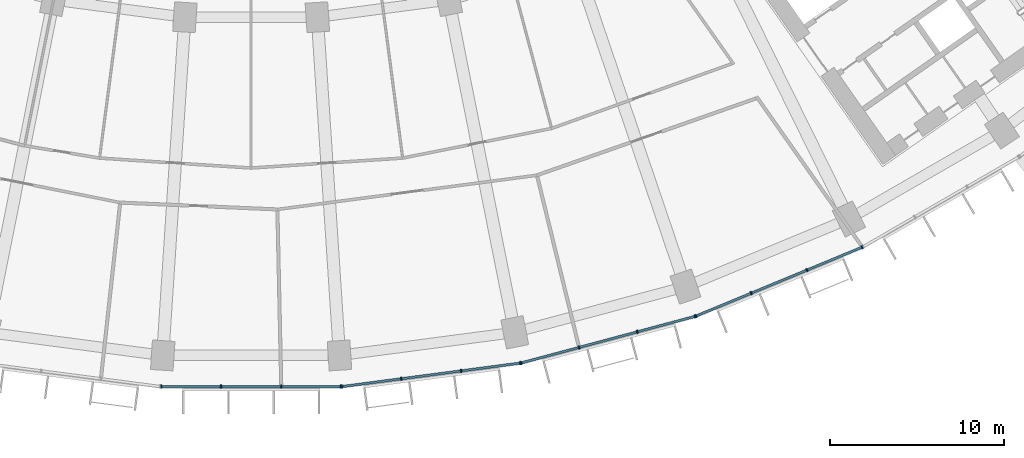
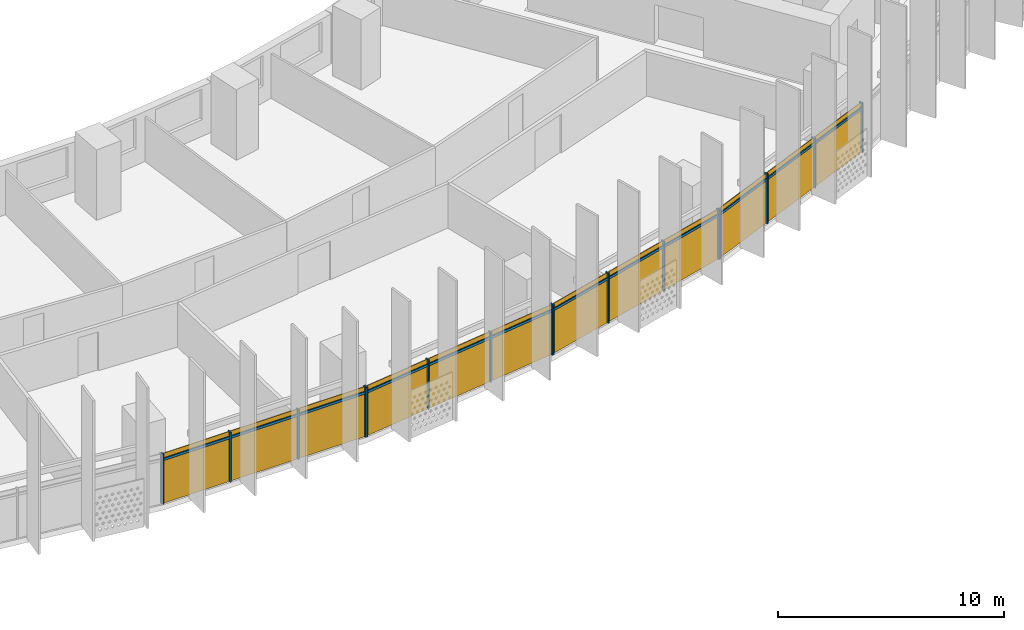
# One storey, part 21 of 31: 28 members, 4 curtain walls.
"""IFC4 building model written with IfcOpenShell, lengths in metres."""

from ifc_helpers import new_model, si_unit, direction, frame, origin, origin_2d, place, context, subcontext, project, spatial, rectangle, extrude, material, material_profile, profile_set, type_object, element, aggregate, save


model = new_model("IFC4")

# Units and contexts
model_context = context("Model", 3, precision=1e-05, world=origin(), true_north=direction((0.0, 1.0)))
body_context = subcontext(model_context, "Body", "Model", "MODEL_VIEW")
ifc_project = project(units=[si_unit("LENGTHUNIT", "METRE"), si_unit("AREAUNIT", "SQUARE_METRE"), si_unit("VOLUMEUNIT", "CUBIC_METRE"), si_unit("PLANEANGLEUNIT", "RADIAN"), si_unit("MASSUNIT", "GRAM", prefix="KILO")], contexts=[model_context])

# Member
ifc_material = material(Name="Aluminium 6063-T6 anodised", Category="aluminium")
ifc_material_profile_1 = material_profile(ifc_material, rectangle(XDim=0.199951171875, YDim=0.070068359375, at=origin_2d()))
ifc_profile_set_1 = profile_set([ifc_material_profile_1], Name="Aluminium 6063-T6 anodised")
member_type_1 = type_object("IfcMemberType", Name="Mullion 70 x 200 aluminium", PredefinedType="MULLION", material=ifc_profile_set_1)
site_placement = place(None, origin())
building_placement = place(site_placement, origin())
storey_placement = place(building_placement, frame((0.0, 0.0, 55.699951171875)))
member_1_placement = place(storey_placement, frame((-5.17431640625, -79.37939453125, 0.0), z_axis=(0.0, 0.0, 1.0), x_axis=(0.0, 1.0, 0.0)))
member_1 = element("IfcMember", 1, at=member_1_placement, type_object=member_type_1, Name="e-cw1-L10-out08/M00", PredefinedType="MULLION", context=body_context, shape_type="SweptSolid", body=[
    extrude(rectangle(XDim=0.199951171875, YDim=0.070068359375, at=origin_2d()), origin(), (0.0, 0.0, 1.0), 2.699951171875),
])

member_2_placement = place(storey_placement, frame((-1.736572265625, -79.37939453125, 0.0), z_axis=(0.0, 0.0, 1.0), x_axis=(0.0, 1.0, 0.0)))
member_2 = element("IfcMember", 2, at=member_2_placement, type_object=member_type_1, Name="e-cw1-L10-out08/M01", PredefinedType="MULLION", context=body_context, shape_type="SweptSolid", body=[
    extrude(rectangle(XDim=0.199951171875, YDim=0.070068359375, at=origin_2d()), origin(), (0.0, 0.0, 1.0), 2.699951171875),
])

member_3_placement = place(storey_placement, frame((1.736572265625, -79.37939453125, 0.0), z_axis=(0.0, 0.0, 1.0), x_axis=(0.0, 1.0, 0.0)))
member_3 = element("IfcMember", 3, at=member_3_placement, type_object=member_type_1, Name="e-cw1-L10-out08/M02", PredefinedType="MULLION", context=body_context, shape_type="SweptSolid", body=[
    extrude(rectangle(XDim=0.199951171875, YDim=0.070068359375, at=origin_2d()), origin(), (0.0, 0.0, 1.0), 2.699951171875),
])

member_4_placement = place(storey_placement, frame((5.17431640625, -79.37939453125, 0.0), z_axis=(0.0, 0.0, 1.0), x_axis=(0.0, 1.0, 0.0)))
member_4 = element("IfcMember", 4, at=member_4_placement, type_object=member_type_1, Name="e-cw1-L10-out08/M03", PredefinedType="MULLION", context=body_context, shape_type="SweptSolid", body=[
    extrude(rectangle(XDim=0.199951171875, YDim=0.070068359375, at=origin_2d()), origin(), (0.0, 0.0, 1.0), 2.699951171875),
])

member_5_placement = place(storey_placement, frame((5.23095703125, -79.375732421875, 0.0), z_axis=(0.0, 0.0, 1.0), x_axis=(-0.13052619222, 0.991444861374, 0.0)))
member_5 = element("IfcMember", 5, at=member_5_placement, type_object=member_type_1, Name="e-cw1-L10-out09/M00", PredefinedType="MULLION", context=body_context, shape_type="SweptSolid", body=[
    extrude(rectangle(XDim=0.199951171875, YDim=0.070068359375, at=origin_2d()), origin(), (0.0, 0.0, 1.0), 2.699951171875),
])

member_6_placement = place(storey_placement, frame((8.639404296875, -78.927001953125, 0.0), z_axis=(0.0, 0.0, 1.0), x_axis=(-0.13052619222, 0.991444861374, 0.0)))
member_6 = element("IfcMember", 6, at=member_6_placement, type_object=member_type_1, Name="e-cw1-L10-out09/M01", PredefinedType="MULLION", context=body_context, shape_type="SweptSolid", body=[
    extrude(rectangle(XDim=0.199951171875, YDim=0.070068359375, at=origin_2d()), origin(), (0.0, 0.0, 1.0), 2.699951171875),
])

member_7_placement = place(storey_placement, frame((12.082763671875, -78.4736328125, 0.0), z_axis=(0.0, 0.0, 1.0), x_axis=(-0.13052619222, 0.991444861374, 0.0)))
member_7 = element("IfcMember", 7, at=member_7_placement, type_object=member_type_1, Name="e-cw1-L10-out09/M02", PredefinedType="MULLION", context=body_context, shape_type="SweptSolid", body=[
    extrude(rectangle(XDim=0.199951171875, YDim=0.070068359375, at=origin_2d()), origin(), (0.0, 0.0, 1.0), 2.699951171875),
])

member_8_placement = place(storey_placement, frame((15.4912109375, -78.02490234375, 0.0), z_axis=(0.0, 0.0, 1.0), x_axis=(-0.13052619222, 0.991444861374, 0.0)))
member_8 = element("IfcMember", 8, at=member_8_placement, type_object=member_type_1, Name="e-cw1-L10-out09/M03", PredefinedType="MULLION", context=body_context, shape_type="SweptSolid", body=[
    extrude(rectangle(XDim=0.199951171875, YDim=0.070068359375, at=origin_2d()), origin(), (0.0, 0.0, 1.0), 2.699951171875),
])

member_9_placement = place(storey_placement, frame((15.546875, -78.013916015625, 0.0), z_axis=(0.0, 0.0, 1.0), x_axis=(-0.258819045103, 0.965925826289, 0.0)))
member_9 = element("IfcMember", 9, at=member_9_placement, type_object=member_type_1, Name="e-cw1-L10-out10/M00", PredefinedType="MULLION", context=body_context, shape_type="SweptSolid", body=[
    extrude(rectangle(XDim=0.199951171875, YDim=0.070068359375, at=origin_2d()), origin(), (0.0, 0.0, 1.0), 2.699951171875),
])

member_10_placement = place(storey_placement, frame((18.86767578125, -77.1240234375, 0.0), z_axis=(0.0, 0.0, 1.0), x_axis=(-0.258819045103, 0.965925826289, 0.0)))
member_10 = element("IfcMember", 10, at=member_10_placement, type_object=member_type_1, Name="e-cw1-L10-out10/M01", PredefinedType="MULLION", context=body_context, shape_type="SweptSolid", body=[
    extrude(rectangle(XDim=0.199951171875, YDim=0.070068359375, at=origin_2d()), origin(), (0.0, 0.0, 1.0), 2.699951171875),
])

member_11_placement = place(storey_placement, frame((22.22216796875, -76.225341796875, 0.0), z_axis=(0.0, 0.0, 1.0), x_axis=(-0.258819045103, 0.965925826289, 0.0)))
member_11 = element("IfcMember", 11, at=member_11_placement, type_object=member_type_1, Name="e-cw1-L10-out10/M02", PredefinedType="MULLION", context=body_context, shape_type="SweptSolid", body=[
    extrude(rectangle(XDim=0.199951171875, YDim=0.070068359375, at=origin_2d()), origin(), (0.0, 0.0, 1.0), 2.699951171875),
])

member_12_placement = place(storey_placement, frame((25.54296875, -75.33544921875, 0.0), z_axis=(0.0, 0.0, 1.0), x_axis=(-0.258819045103, 0.965925826289, 0.0)))
member_12 = element("IfcMember", 12, at=member_12_placement, type_object=member_type_1, Name="e-cw1-L10-out10/M03", PredefinedType="MULLION", context=body_context, shape_type="SweptSolid", body=[
    extrude(rectangle(XDim=0.199951171875, YDim=0.070068359375, at=origin_2d()), origin(), (0.0, 0.0, 1.0), 2.699951171875),
])

member_13_placement = place(storey_placement, frame((25.5966796875, -75.317138671875, 0.0), z_axis=(0.0, 0.0, 1.0), x_axis=(-0.382683432365, 0.923879532511, 0.0)))
member_13 = element("IfcMember", 13, at=member_13_placement, type_object=member_type_1, Name="e-cw1-L10-out11/M00", PredefinedType="MULLION", context=body_context, shape_type="SweptSolid", body=[
    extrude(rectangle(XDim=0.199951171875, YDim=0.070068359375, at=origin_2d()), origin(), (0.0, 0.0, 1.0), 2.699951171875),
])

member_14_placement = place(storey_placement, frame((28.77294921875, -74.00146484375, 0.0), z_axis=(0.0, 0.0, 1.0), x_axis=(-0.382683432365, 0.923879532511, 0.0)))
member_14 = element("IfcMember", 14, at=member_14_placement, type_object=member_type_1, Name="e-cw1-L10-out11/M01", PredefinedType="MULLION", context=body_context, shape_type="SweptSolid", body=[
    extrude(rectangle(XDim=0.199951171875, YDim=0.070068359375, at=origin_2d()), origin(), (0.0, 0.0, 1.0), 2.699951171875),
])

member_15_placement = place(storey_placement, frame((31.9814453125, -72.672607421875, 0.0), z_axis=(0.0, 0.0, 1.0), x_axis=(-0.382683432365, 0.923879532511, 0.0)))
member_15 = element("IfcMember", 15, at=member_15_placement, type_object=member_type_1, Name="e-cw1-L10-out11/M02", PredefinedType="MULLION", context=body_context, shape_type="SweptSolid", body=[
    extrude(rectangle(XDim=0.199951171875, YDim=0.070068359375, at=origin_2d()), origin(), (0.0, 0.0, 1.0), 2.699951171875),
])

member_16_placement = place(storey_placement, frame((35.15771484375, -71.35693359375, 0.0), z_axis=(0.0, 0.0, 1.0), x_axis=(-0.382683432365, 0.923879532511, 0.0)))
member_16 = element("IfcMember", 16, at=member_16_placement, type_object=member_type_1, Name="e-cw1-L10-out11/M03", PredefinedType="MULLION", context=body_context, shape_type="SweptSolid", body=[
    extrude(rectangle(XDim=0.199951171875, YDim=0.070068359375, at=origin_2d()), origin(), (0.0, 0.0, 1.0), 2.699951171875),
])

ifc_material_profile_2 = material_profile(ifc_material, rectangle(XDim=0.139892578125, YDim=0.1201171875, at=origin_2d()))
ifc_profile_set_2 = profile_set([ifc_material_profile_2], Name="Aluminium 6063-T6 anodised")
member_type_2 = type_object("IfcMemberType", Name="Transom 120 x 140 aluminium", PredefinedType="USERDEFINED", material=ifc_profile_set_2)
member_17_placement = place(storey_placement, frame((-5.139404296875, -79.37939453125, 2.400146484375), z_axis=(1.0, 0.0, 0.0), x_axis=(0.0, 1.0, 0.0)))
member_17 = element("IfcMember", 17, at=member_17_placement, type_object=member_type_2, Name="e-cw1-L10-out08/T00", ObjectType="TRANSOM", PredefinedType="USERDEFINED", context=body_context, shape_type="SweptSolid", body=[
    extrude(rectangle(XDim=0.139892578125, YDim=0.1201171875, at=origin_2d()), origin(), (0.0, 0.0, 1.0), 3.367919921875),
])

member_18_placement = place(storey_placement, frame((-1.701416015625, -79.37939453125, 2.400146484375), z_axis=(1.0, 0.0, 0.0), x_axis=(0.0, 1.0, 0.0)))
member_18 = element("IfcMember", 18, at=member_18_placement, type_object=member_type_2, Name="e-cw1-L10-out08/T01", ObjectType="TRANSOM", PredefinedType="USERDEFINED", context=body_context, shape_type="SweptSolid", body=[
    extrude(rectangle(XDim=0.139892578125, YDim=0.1201171875, at=origin_2d()), origin(), (0.0, 0.0, 1.0), 3.40283203125),
])

member_19_placement = place(storey_placement, frame((1.771484375, -79.37939453125, 2.400146484375), z_axis=(1.0, 0.0, 0.0), x_axis=(0.0, 1.0, 0.0)))
member_19 = element("IfcMember", 19, at=member_19_placement, type_object=member_type_2, Name="e-cw1-L10-out08/T02", ObjectType="TRANSOM", PredefinedType="USERDEFINED", context=body_context, shape_type="SweptSolid", body=[
    extrude(rectangle(XDim=0.139892578125, YDim=0.1201171875, at=origin_2d()), origin(), (0.0, 0.0, 1.0), 3.367919921875),
])

member_20_placement = place(storey_placement, frame((5.265625, -79.37109375, 2.400146484375), z_axis=(0.991450594138, 0.130482640159, 0.0), x_axis=(-0.130482640159, 0.991450594138, 0.0)))
member_20 = element("IfcMember", 20, at=member_20_placement, type_object=member_type_2, Name="e-cw1-L10-out09/T00", ObjectType="TRANSOM", PredefinedType="USERDEFINED", context=body_context, shape_type="SweptSolid", body=[
    extrude(rectangle(XDim=0.139892578125, YDim=0.1201171875, at=origin_2d()), origin(), (0.0, 0.0, 1.0), 3.367919921875),
])

member_21_placement = place(storey_placement, frame((8.67431640625, -78.92236328125, 2.400146484375), z_axis=(0.991447700941, 0.130504621753, 0.0), x_axis=(-0.130504621753, 0.991447700941, 0.0)))
member_21 = element("IfcMember", 21, at=member_21_placement, type_object=member_type_2, Name="e-cw1-L10-out09/T01", ObjectType="TRANSOM", PredefinedType="USERDEFINED", context=body_context, shape_type="SweptSolid", body=[
    extrude(rectangle(XDim=0.139892578125, YDim=0.1201171875, at=origin_2d()), origin(), (0.0, 0.0, 1.0), 3.40283203125),
])

member_22_placement = place(storey_placement, frame((12.117431640625, -78.46923828125, 2.400146484375), z_axis=(0.9914412138, 0.130553895303, 0.0), x_axis=(-0.130553895303, 0.9914412138, 0.0)))
member_22 = element("IfcMember", 22, at=member_22_placement, type_object=member_type_2, Name="e-cw1-L10-out09/T02", ObjectType="TRANSOM", PredefinedType="USERDEFINED", context=body_context, shape_type="SweptSolid", body=[
    extrude(rectangle(XDim=0.139892578125, YDim=0.1201171875, at=origin_2d()), origin(), (0.0, 0.0, 1.0), 3.367919921875),
])

member_23_placement = place(storey_placement, frame((15.58056640625, -78.0048828125, 2.400146484375), z_axis=(0.965915368772, 0.258858069935, 0.0), x_axis=(-0.258858069935, 0.965915368772, 0.0)))
member_23 = element("IfcMember", 23, at=member_23_placement, type_object=member_type_2, Name="e-cw1-L10-out10/T00", ObjectType="TRANSOM", PredefinedType="USERDEFINED", context=body_context, shape_type="SweptSolid", body=[
    extrude(rectangle(XDim=0.139892578125, YDim=0.1201171875, at=origin_2d()), origin(), (0.0, 0.0, 1.0), 3.367919921875),
])

member_24_placement = place(storey_placement, frame((18.9013671875, -77.114990234375, 2.400146484375), z_axis=(0.965937804901, 0.258774336176, 0.0), x_axis=(-0.258774336176, 0.965937804901, 0.0)))
member_24 = element("IfcMember", 24, at=member_24_placement, type_object=member_type_2, Name="e-cw1-L10-out10/T01", ObjectType="TRANSOM", PredefinedType="USERDEFINED", context=body_context, shape_type="SweptSolid", body=[
    extrude(rectangle(XDim=0.139892578125, YDim=0.1201171875, at=origin_2d()), origin(), (0.0, 0.0, 1.0), 3.403076171875),
])

member_25_placement = place(storey_placement, frame((22.256103515625, -76.21630859375, 2.400146484375), z_axis=(0.965915368772, 0.258858069935, 0.0), x_axis=(-0.258858069935, 0.965915368772, 0.0)))
member_25 = element("IfcMember", 25, at=member_25_placement, type_object=member_type_2, Name="e-cw1-L10-out10/T02", ObjectType="TRANSOM", PredefinedType="USERDEFINED", context=body_context, shape_type="SweptSolid", body=[
    extrude(rectangle(XDim=0.139892578125, YDim=0.1201171875, at=origin_2d()), origin(), (0.0, 0.0, 1.0), 3.367919921875),
])

member_26_placement = place(storey_placement, frame((25.629150390625, -75.3037109375, 2.400146484375), z_axis=(0.923872807855, 0.382699666719, 0.0), x_axis=(-0.382699666719, 0.923872807855, 0.0)))
member_26 = element("IfcMember", 26, at=member_26_placement, type_object=member_type_2, Name="e-cw1-L10-out11/T00", ObjectType="TRANSOM", PredefinedType="USERDEFINED", context=body_context, shape_type="SweptSolid", body=[
    extrude(rectangle(XDim=0.139892578125, YDim=0.1201171875, at=origin_2d()), origin(), (0.0, 0.0, 1.0), 3.36767578125),
])

member_27_placement = place(storey_placement, frame((28.80517578125, -73.98828125, 2.400146484375), z_axis=(0.92388567708, 0.382668597728, 0.0), x_axis=(-0.382668597728, 0.92388567708, 0.0)))
member_27 = element("IfcMember", 27, at=member_27_placement, type_object=member_type_2, Name="e-cw1-L10-out11/T01", ObjectType="TRANSOM", PredefinedType="USERDEFINED", context=body_context, shape_type="SweptSolid", body=[
    extrude(rectangle(XDim=0.139892578125, YDim=0.1201171875, at=origin_2d()), origin(), (0.0, 0.0, 1.0), 3.403076171875),
])

member_28_placement = place(storey_placement, frame((32.013916015625, -72.6591796875, 2.400146484375), z_axis=(0.923872807855, 0.382699666719, 0.0), x_axis=(-0.382699666719, 0.923872807855, 0.0)))
member_28 = element("IfcMember", 28, at=member_28_placement, type_object=member_type_2, Name="e-cw1-L10-out11/T02", ObjectType="TRANSOM", PredefinedType="USERDEFINED", context=body_context, shape_type="SweptSolid", body=[
    extrude(rectangle(XDim=0.139892578125, YDim=0.1201171875, at=origin_2d()), origin(), (0.0, 0.0, 1.0), 3.36767578125),
])

# Site, building, storey
site = spatial("IfcSite", under=ifc_project, at=site_placement, CompositionType="ELEMENT")
building = spatial("IfcBuilding", under=site, at=building_placement, Name="Qamariyya Broadcast Tower", CompositionType="ELEMENT")
storey = spatial("IfcBuildingStorey", under=building, at=storey_placement, Name="L10", CompositionType="ELEMENT", Elevation=55.699951171875)

# Curtain wall
curtain_wall_type = type_object("IfcCurtainWallType", Name="Unitised curtain wall, anodised aluminium", PredefinedType="NOTDEFINED", material=ifc_material)
curtain_wall_1_placement = place(storey_placement, origin())
curtain_wall_1 = element("IfcCurtainWall", 29, at=curtain_wall_1_placement, inside=storey, type_object=curtain_wall_type, Name="e-cw1-L10-out08", PredefinedType="NOTDEFINED", context=body_context, shape_type="SweptSolid", body=[
    extrude(rectangle(XDim=3.367919921875, YDim=0.031982421875, at=origin_2d()), frame((-3.45556640625, -79.37939453125, 0.0), x_axis=(1.0, 0.0, 0.0)), (0.0, 0.0, 1.0), 2.340087890625),
    extrude(rectangle(XDim=3.367919921875, YDim=0.031982421875, at=origin_2d()), frame((-3.45556640625, -79.37939453125, 2.4599609375), x_axis=(1.0, 0.0, 0.0)), (0.0, 0.0, 1.0), 0.239990234375),
    extrude(rectangle(XDim=3.403076171875, YDim=0.031982421875, at=origin_2d()), frame((0.0, -79.37939453125, 0.0), x_axis=(1.0, 0.0, 0.0)), (0.0, 0.0, 1.0), 2.340087890625),
    extrude(rectangle(XDim=3.403076171875, YDim=0.031982421875, at=origin_2d()), frame((0.0, -79.37939453125, 2.4599609375), x_axis=(1.0, 0.0, 0.0)), (0.0, 0.0, 1.0), 0.239990234375),
    extrude(rectangle(XDim=3.367919921875, YDim=0.031982421875, at=origin_2d()), frame((3.45556640625, -79.37939453125, 0.0), x_axis=(1.0, 0.0, 0.0)), (0.0, 0.0, 1.0), 2.340087890625),
    extrude(rectangle(XDim=3.367919921875, YDim=0.031982421875, at=origin_2d()), frame((3.45556640625, -79.37939453125, 2.4599609375), x_axis=(1.0, 0.0, 0.0)), (0.0, 0.0, 1.0), 0.239990234375),
])

aggregate(curtain_wall_1, [member_1, member_2, member_3, member_4, member_17, member_18, member_19])

curtain_wall_2_placement = place(storey_placement, origin())
curtain_wall_2 = element("IfcCurtainWall", 30, at=curtain_wall_2_placement, inside=storey, type_object=curtain_wall_type, Name="e-cw1-L10-out09", PredefinedType="NOTDEFINED", context=body_context, shape_type="SweptSolid", body=[
    extrude(rectangle(XDim=3.367919921875, YDim=0.031982421875, at=origin_2d()), frame((6.935302734375, -79.1513671875, 0.0), x_axis=(0.991445519925, 0.130521189931, 0.0)), (0.0, 0.0, 1.0), 2.340087890625),
    extrude(rectangle(XDim=3.367919921875, YDim=0.031982421875, at=origin_2d()), frame((6.935302734375, -79.1513671875, 2.4599609375), x_axis=(0.991445519925, 0.130521189931, 0.0)), (0.0, 0.0, 1.0), 0.239990234375),
    extrude(rectangle(XDim=3.40283203125, YDim=0.031982421875, at=origin_2d()), frame((10.361083984375, -78.700439453125, 0.0), x_axis=(0.991445519925, 0.130521189931, 0.0)), (0.0, 0.0, 1.0), 2.340087890625),
    extrude(rectangle(XDim=3.40283203125, YDim=0.031982421875, at=origin_2d()), frame((10.361083984375, -78.700439453125, 2.4599609375), x_axis=(0.991445519925, 0.130521189931, 0.0)), (0.0, 0.0, 1.0), 0.239990234375),
    extrude(rectangle(XDim=3.367919921875, YDim=0.031982421875, at=origin_2d()), frame((13.786865234375, -78.24951171875, 0.0), x_axis=(0.991445519925, 0.130521189931, 0.0)), (0.0, 0.0, 1.0), 2.340087890625),
    extrude(rectangle(XDim=3.367919921875, YDim=0.031982421875, at=origin_2d()), frame((13.786865234375, -78.24951171875, 2.4599609375), x_axis=(0.991445519925, 0.130521189931, 0.0)), (0.0, 0.0, 1.0), 0.239990234375),
])

aggregate(curtain_wall_2, [member_5, member_6, member_7, member_8, member_20, member_21, member_22])

curtain_wall_3_placement = place(storey_placement, origin())
curtain_wall_3 = element("IfcCurtainWall", 31, at=curtain_wall_3_placement, inside=storey, type_object=curtain_wall_type, Name="e-cw1-L10-out10", PredefinedType="NOTDEFINED", context=body_context, shape_type="SweptSolid", body=[
    extrude(rectangle(XDim=3.367919921875, YDim=0.031982421875, at=origin_2d()), frame((17.207275390625, -77.569091796875, 0.0), x_axis=(0.965925039578, 0.258821981129, 0.0)), (0.0, 0.0, 1.0), 2.340087890625),
    extrude(rectangle(XDim=3.367919921875, YDim=0.031982421875, at=origin_2d()), frame((17.207275390625, -77.569091796875, 2.4599609375), x_axis=(0.965925039578, 0.258821981129, 0.0)), (0.0, 0.0, 1.0), 0.239990234375),
    extrude(rectangle(XDim=3.40283203125, YDim=0.031982421875, at=origin_2d()), frame((20.544921875, -76.6748046875, 0.0), x_axis=(0.965925039578, 0.258821981129, 0.0)), (0.0, 0.0, 1.0), 2.340087890625),
    extrude(rectangle(XDim=3.40283203125, YDim=0.031982421875, at=origin_2d()), frame((20.544921875, -76.6748046875, 2.4599609375), x_axis=(0.965925039578, 0.258821981129, 0.0)), (0.0, 0.0, 1.0), 0.239990234375),
    extrude(rectangle(XDim=3.367919921875, YDim=0.031982421875, at=origin_2d()), frame((23.882568359375, -75.7802734375, 0.0), x_axis=(0.965925039578, 0.258821981129, 0.0)), (0.0, 0.0, 1.0), 2.340087890625),
    extrude(rectangle(XDim=3.367919921875, YDim=0.031982421875, at=origin_2d()), frame((23.882568359375, -75.7802734375, 2.4599609375), x_axis=(0.965925039578, 0.258821981129, 0.0)), (0.0, 0.0, 1.0), 0.239990234375),
])

aggregate(curtain_wall_3, [member_9, member_10, member_11, member_12, member_23, member_24, member_25])

curtain_wall_4_placement = place(storey_placement, origin())
curtain_wall_4 = element("IfcCurtainWall", 32, at=curtain_wall_4_placement, inside=storey, type_object=curtain_wall_type, Name="e-cw1-L10-out11", PredefinedType="NOTDEFINED", context=body_context, shape_type="SweptSolid", body=[
    extrude(rectangle(XDim=3.367919921875, YDim=0.031982421875, at=origin_2d()), frame((27.184814453125, -74.659423828125, 0.0), x_axis=(0.92387774222, 0.382687754482, 0.0)), (0.0, 0.0, 1.0), 2.340087890625),
    extrude(rectangle(XDim=3.367919921875, YDim=0.031982421875, at=origin_2d()), frame((27.184814453125, -74.659423828125, 2.4599609375), x_axis=(0.92387774222, 0.382687754482, 0.0)), (0.0, 0.0, 1.0), 0.239990234375),
    extrude(rectangle(XDim=3.40283203125, YDim=0.031982421875, at=origin_2d()), frame((30.377197265625, -73.3369140625, 0.0), x_axis=(0.92387774222, 0.382687754482, 0.0)), (0.0, 0.0, 1.0), 2.340087890625),
    extrude(rectangle(XDim=3.40283203125, YDim=0.031982421875, at=origin_2d()), frame((30.377197265625, -73.3369140625, 2.4599609375), x_axis=(0.92387774222, 0.382687754482, 0.0)), (0.0, 0.0, 1.0), 0.239990234375),
    extrude(rectangle(XDim=3.367919921875, YDim=0.031982421875, at=origin_2d()), frame((33.569580078125, -72.0146484375, 0.0), x_axis=(0.92387774222, 0.382687754482, 0.0)), (0.0, 0.0, 1.0), 2.340087890625),
    extrude(rectangle(XDim=3.367919921875, YDim=0.031982421875, at=origin_2d()), frame((33.569580078125, -72.0146484375, 2.4599609375), x_axis=(0.92387774222, 0.382687754482, 0.0)), (0.0, 0.0, 1.0), 0.239990234375),
])

aggregate(curtain_wall_4, [member_13, member_14, member_15, member_16, member_26, member_27, member_28])

save(model, "model.ifc")
